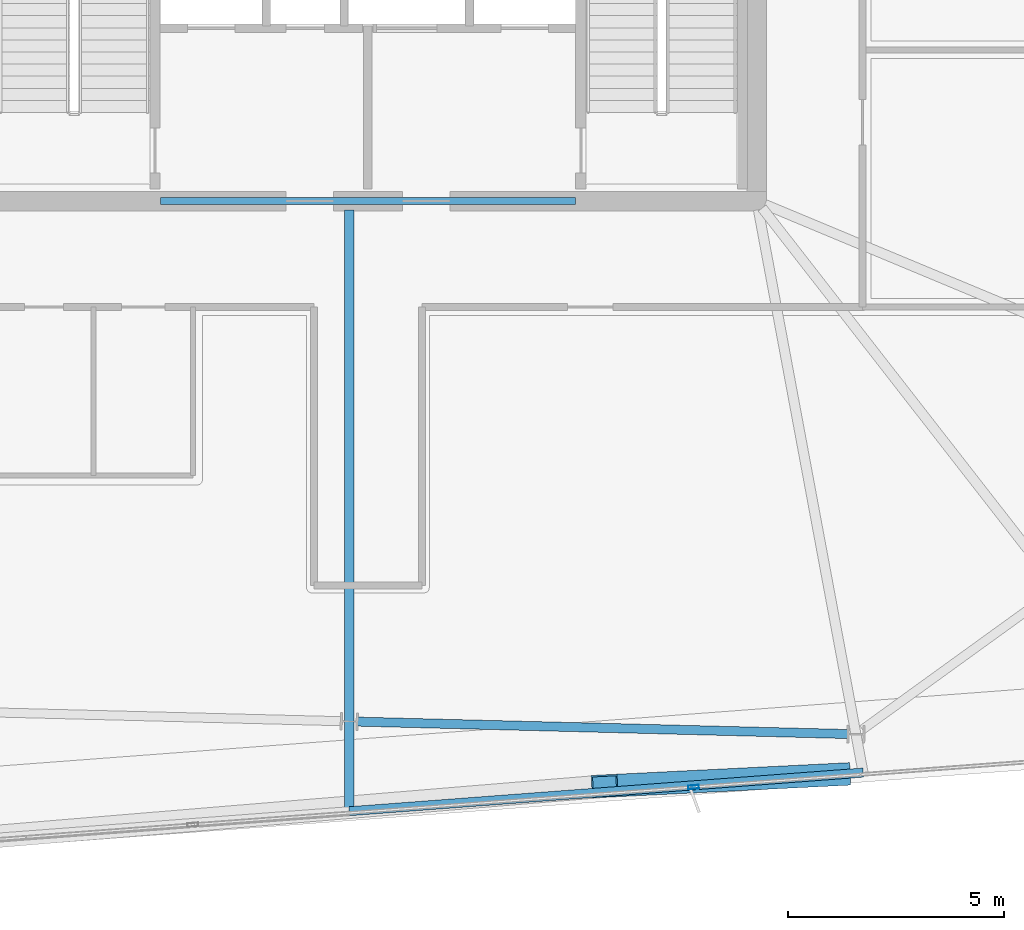
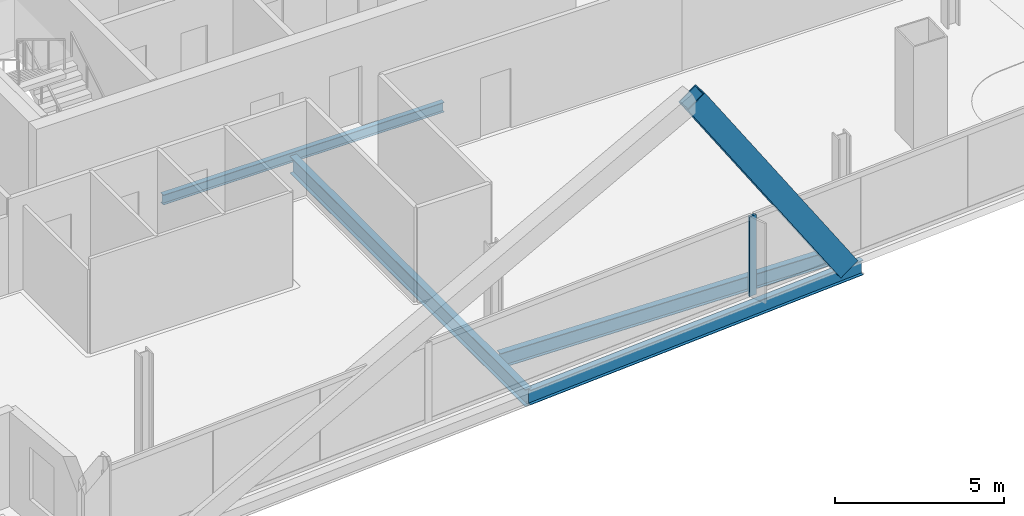
# One storey, part 5 of 23: 4 beams, 2 members, 1 element without a shape of its own.
"""IFC4 building model written with IfcOpenShell, lengths in metres."""

from ifc_helpers import new_model, si_unit, direction, frame, origin, origin_2d, place, context, subcontext, project, spatial, hollow_rectangle, i_section, extrude, material, material_profile, profile_set, type_object, element, aggregate, save


model = new_model("IFC4")

# Units and contexts
model_context = context("Model", 3, precision=1e-05, world=origin(), true_north=direction((0.0, 1.0)))
body_context = subcontext(model_context, "Body", "Model", "MODEL_VIEW")
ifc_project = project(units=[si_unit("LENGTHUNIT", "METRE"), si_unit("AREAUNIT", "SQUARE_METRE"), si_unit("VOLUMEUNIT", "CUBIC_METRE"), si_unit("PLANEANGLEUNIT", "RADIAN"), si_unit("MASSUNIT", "GRAM", prefix="KILO")], contexts=[model_context])

# Site, building, storey
site_placement = place(None, origin())
site = spatial("IfcSite", under=ifc_project, at=site_placement, CompositionType="ELEMENT")
building_placement = place(site_placement, origin())
building = spatial("IfcBuilding", under=site, at=building_placement, Name="Haldenkirk Collegiate Tower", CompositionType="ELEMENT")
storey_placement = place(building_placement, frame((0.0, 0.0, 343.949951171875)))
storey = spatial("IfcBuildingStorey", under=building, at=storey_placement, Name="L87", CompositionType="ELEMENT", Elevation=343.949951171875)

# Beams
ifc_material_1 = material(Name="Steel ASTM A992 Grade 50", Category="steel")
ifc_material_profile_1 = material_profile(ifc_material_1, i_section(OverallWidth=0.22998046875, OverallDepth=0.616943359375, WebThickness=0.01318359375, FlangeThickness=0.022216796875, at=origin_2d()), Name="W24X94")
ifc_profile_set_1 = profile_set([ifc_material_profile_1], Name="Steel ASTM A992 Grade 50")
beam_type_1 = type_object("IfcBeamType", Name="BM-GIRDER-W24X94", PredefinedType="BEAM", material=ifc_profile_set_1)
beam_1_placement = place(storey_placement, frame((35.567626953125, 3.875244140625, -0.568359375), z_axis=(0.0, 1.0, 0.0), x_axis=(-1.0, 0.0, 0.0)))
element("IfcBeam", 1, at=beam_1_placement, inside=storey, type_object=beam_type_1, Name="L87 primary floor girder 15", PredefinedType="BEAM", context=body_context, shape_type="SweptSolid", body=[
    extrude(i_section(OverallWidth=0.22998046875, OverallDepth=0.616943359375, WebThickness=0.01318359375, FlangeThickness=0.022216796875, at=origin_2d()), origin(), (0.0, 0.0, 1.0), 13.919677734375),
])
ifc_material_profile_2 = material_profile(ifc_material_1, i_section(OverallWidth=0.1708984375, OverallDepth=0.35595703125, WebThickness=0.007080078125, FlangeThickness=0.01171875, at=origin_2d()), Name="W14X34")
ifc_profile_set_2 = profile_set([ifc_material_profile_2], Name="Steel ASTM A992 Grade 50")
beam_type_2 = type_object("IfcBeamType", Name="BM-LINTEL-W14X34", PredefinedType="LINTEL", material=ifc_profile_set_2)
beam_2_placement = place(storey_placement, frame((31.199951171875, 18.0, -0.43798828125), z_axis=(1.0, 0.0, 0.0), x_axis=(0.0, 1.0, 0.0)))
element("IfcBeam", 2, at=beam_2_placement, inside=storey, type_object=beam_type_2, Name="L87 south core coupling lintel", PredefinedType="LINTEL", context=body_context, shape_type="SweptSolid", body=[
    extrude(i_section(OverallWidth=0.1708984375, OverallDepth=0.35595703125, WebThickness=0.007080078125, FlangeThickness=0.01171875, at=origin_2d()), origin(), (0.0, 0.0, 1.0), 9.60009765625),
])
ifc_material_profile_3 = material_profile(ifc_material_1, i_section(OverallWidth=0.2099609375, OverallDepth=0.537109375, WebThickness=0.010986328125, FlangeThickness=0.017333984375, at=origin_2d()), Name="W21X68")
ifc_profile_set_3 = profile_set([ifc_material_profile_3], Name="Steel ASTM A992 Grade 50")
beam_type_3 = type_object("IfcBeamType", Name="BM-SPANDREL-W21X68", PredefinedType="SPANDREL", material=ifc_profile_set_3)
beam_3_placement = place(storey_placement, frame((35.755615234375, 5.94970703125, -0.528564453125), z_axis=(0.999679850822, -0.025302092003, 0.0), x_axis=(0.025302092003, 0.999679850822, 0.0)))
element("IfcBeam", 3, at=beam_3_placement, inside=storey, type_object=beam_type_3, Name="L87 perimeter spandrel beam 15", PredefinedType="SPANDREL", context=body_context, shape_type="SweptSolid", body=[
    extrude(i_section(OverallWidth=0.2099609375, OverallDepth=0.537109375, WebThickness=0.010986328125, FlangeThickness=0.017333984375, at=origin_2d()), origin(), (0.0, 0.0, 1.0), 11.35693359375),
])
beam_4_placement = place(storey_placement, frame((35.567626953125, 3.875244140625, -0.528564453125), z_axis=(0.997184024243, 0.074993478342, 0.0), x_axis=(-0.074993478342, 0.997184024243, 0.0)))
element("IfcBeam", 4, at=beam_4_placement, inside=storey, type_object=beam_type_3, Name="L87 outer facade edge beam 4B", PredefinedType="SPANDREL", context=body_context, shape_type="SweptSolid", body=[
    extrude(i_section(OverallWidth=0.2099609375, OverallDepth=0.537109375, WebThickness=0.010986328125, FlangeThickness=0.017333984375, at=origin_2d()), origin(), (0.0, 0.0, 1.0), 11.92822265625),
])

# Curtain wall, member
ifc_material_2 = material(Name="Anodised architectural bronze aluminium", Category="aluminium")
curtain_wall_type = type_object("IfcCurtainWallType", Name="CW-SYS1B-CONVEX-HI", PredefinedType="USERDEFINED", material=ifc_material_2)
curtain_wall_placement = place(storey_placement, origin())
curtain_wall = element("IfcCurtainWall", 5, at=curtain_wall_placement, inside=storey, type_object=curtain_wall_type, Name="L87 Upper tower high-wind convex bronze unitised curtain wall", ObjectType="UNITISED CURTAIN WALL", PredefinedType="USERDEFINED")
ifc_material_profile_4 = material_profile(ifc_material_2, hollow_rectangle(XDim=0.0849609375, YDim=0.25, WallThickness=0.0048828125, at=origin_2d()), Name="CW-MUL-1B")
ifc_profile_set_4 = profile_set([ifc_material_profile_4], Name="Anodised architectural bronze aluminium")
member_type_1 = type_object("IfcMemberType", Name="CW-MUL-1B", PredefinedType="MULLION", material=ifc_profile_set_4)
member_1_placement = place(storey_placement, frame((43.5380859375, 4.4345703125, 0.0), z_axis=(0.0, 0.0, 1.0), x_axis=(0.074976425073, -0.997185306592, 0.0)))
member_1 = element("IfcMember", 6, at=member_1_placement, type_object=member_type_1, Name="CW-1B mullion 2", PredefinedType="MULLION", context=body_context, shape_type="SweptSolid", body=[
    extrude(hollow_rectangle(XDim=0.0849609375, YDim=0.25, WallThickness=0.0048828125, at=origin_2d()), origin(), (0.0, 0.0, 1.0), 2.887939453125),
])
aggregate(curtain_wall, [member_1])

# Member
ifc_material_3 = material(Name="Steel ASTM A572 Grade 50", Category="steel")
ifc_material_profile_5 = material_profile(ifc_material_3, hollow_rectangle(XDim=0.52001953125, YDim=0.719970703125, WallThickness=0.035888671875, at=origin_2d()), Name="BOX720X520X36")
ifc_profile_set_5 = profile_set([ifc_material_profile_5], Name="Steel ASTM A572 Grade 50")
member_type_2 = type_object("IfcMemberType", Name="MBR-MEGABRACE-BOX720X520X36", PredefinedType="BRACE", material=ifc_profile_set_5)
member_2_placement = place(storey_placement, frame((46.86376953125, 4.724609375, -0.27001953125), z_axis=(-0.552841139074, -0.027452770726, 0.83283432946), x_axis=(0.04959650008, -0.998769336323, 0.0)))
element("IfcMember", 7, at=member_2_placement, inside=storey, type_object=member_type_2, Name="Perimeter Mega Brace Z6 L87-L88 WR", PredefinedType="BRACE", context=body_context, shape_type="SweptSolid", body=[
    extrude(hollow_rectangle(XDim=0.52001953125, YDim=0.719970703125, WallThickness=0.035888671875, at=origin_2d()), origin(), (0.0, 0.0, 1.0), 9.738037109375),
])

save(model, "model.ifc")
